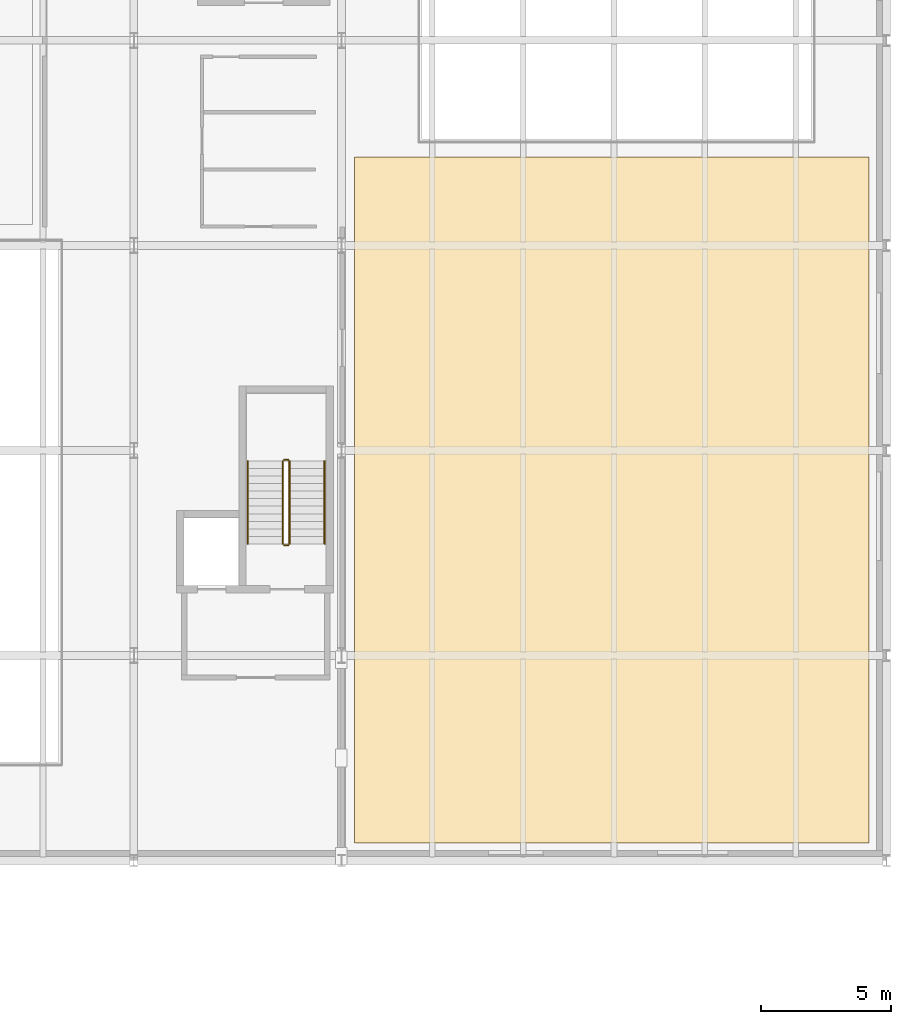
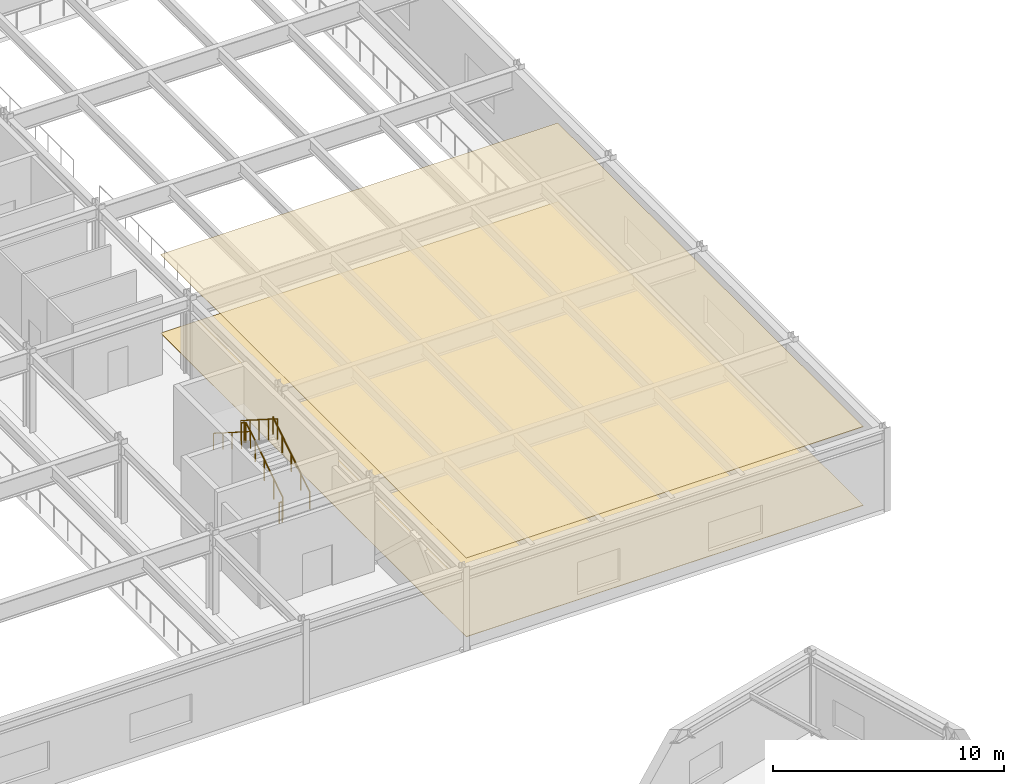
# One storey, part 102 of 103: 6 railings, 2 coverings.
"""IFC4 building model written with IfcOpenShell, lengths in metres."""

from ifc_helpers import new_model, si_unit, direction, frame, origin, origin_2d, place, context, subcontext, project, spatial, polyline, circle, outline, extrude, material, layer, layer_set, type_object, element, save


model = new_model("IFC4")

# Units and contexts
model_context = context("Model", 3, precision=1e-05, world=origin(), true_north=direction((0.0, 1.0)))
body_context = subcontext(model_context, "Body", "Model", "MODEL_VIEW")
ifc_project = project(units=[si_unit("LENGTHUNIT", "METRE"), si_unit("AREAUNIT", "SQUARE_METRE"), si_unit("VOLUMEUNIT", "CUBIC_METRE"), si_unit("PLANEANGLEUNIT", "RADIAN"), si_unit("MASSUNIT", "GRAM", prefix="KILO")], contexts=[model_context])

# Site, building, storey
site_placement = place(None, origin())
site = spatial("IfcSite", under=ifc_project, at=site_placement, CompositionType="ELEMENT")
building_placement = place(site_placement, origin())
building = spatial("IfcBuilding", under=site, at=building_placement, Name="Varnklinge Art Gallery", CompositionType="ELEMENT")
storey_placement = place(building_placement, frame((0.0, 0.0, 5.10009765625)))
storey = spatial("IfcBuildingStorey", under=building, at=storey_placement, Name="L01", CompositionType="ELEMENT", Elevation=5.10009765625)

# Coverings
ifc_material_1 = material(Name="Acoustic Mineral Tile", Category="mineral")
ifc_layer_1 = layer(ifc_material_1, 0.02490234375)
ifc_layer_set_1 = layer_set([ifc_layer_1], Name="Acoustic Mineral Tile")
covering_type_1 = type_object("IfcCoveringType", Name="CLG-AC", PredefinedType="CEILING", material=ifc_layer_set_1)
covering_1_placement = place(storey_placement, frame((0.0, 0.0, 4.14501953125)))
element("IfcCovering", 1, at=covering_1_placement, inside=storey, type_object=covering_type_1, Name="L01 Acoustic Mineral Ceiling 017", PredefinedType="CEILING", context=body_context, shape_type="SweptSolid", body=[
    extrude(outline(polyline([(163.719970703125, 58.8798828125), (163.719970703125, 85.300048828125), (143.89990234375, 85.300048828125), (143.89990234375, 58.8798828125), (163.719970703125, 58.8798828125)])), origin(), (0.0, 0.0, 1.0), 0.02490234375),
])
ifc_material_2 = material(Name="Polished Terrazzo Flooring", Category="stone")
ifc_layer_2 = layer(ifc_material_2, 0.02001953125)
ifc_layer_set_2 = layer_set([ifc_layer_2], Name="Polished Terrazzo Flooring")
covering_type_2 = type_object("IfcCoveringType", Name="FLR-STN", PredefinedType="FLOORING", material=ifc_layer_set_2)
covering_2_placement = place(storey_placement, origin())
element("IfcCovering", 2, at=covering_2_placement, inside=storey, type_object=covering_type_2, Name="L01 Gallery Terrazzo Flooring 017", PredefinedType="FLOORING", context=body_context, shape_type="SweptSolid", body=[
    extrude(outline(polyline([(163.719970703125, 58.8798828125), (163.719970703125, 85.300048828125), (143.89990234375, 85.300048828125), (143.89990234375, 58.8798828125), (163.719970703125, 58.8798828125)])), origin(), (0.0, 0.0, 1.0), 0.02001953125),
])

# Railings
ifc_material_3 = material(Name="Steel S355", Category="steel")
railing_type_1 = type_object("IfcRailingType", Name="GR-INT", PredefinedType="GUARDRAIL", material=ifc_material_3)
railing_1_placement = place(storey_placement, frame((141.39990234375, 70.39990234375, 0.18408203125)))
element("IfcRailing", 3, at=railing_1_placement, inside=storey, type_object=railing_type_1, Name="L01 ST-03 stair guard 1", PredefinedType="GUARDRAIL", context=body_context, shape_type="SweptSolid", body=[
    extrude(circle(Radius=0.02392578125, at=origin_2d()), frame((0.0, 0.0, 1.076171875), z_axis=(0.0, 0.844169194605, 0.536076833001), x_axis=(-1.0, 0.0, 0.0)), (0.0, 0.0, 1.0), 3.779052734375),
    extrude(circle(Radius=0.02099609375, at=origin_2d()), origin(), (0.0, 0.0, 1.0), 1.052001953125),
    extrude(circle(Radius=0.02099609375, at=origin_2d()), frame((0.0, 0.797607421875, 0.50634765625)), (0.0, 0.0, 1.0), 1.052001953125),
    extrude(circle(Radius=0.02099609375, at=origin_2d()), frame((0.0, 1.59521484375, 1.012939453125)), (0.0, 0.0, 1.0), 1.052001953125),
    extrude(circle(Radius=0.02099609375, at=origin_2d()), frame((0.0, 2.392578125, 1.51953125)), (0.0, 0.0, 1.0), 1.052001953125),
    extrude(circle(Radius=0.02099609375, at=origin_2d()), frame((0.0, 3.190185546875, 2.02587890625)), (0.0, 0.0, 1.0), 1.052001953125),
])
railing_2_placement = place(storey_placement, frame((141.35009765625, 73.639892578125, 2.2099609375)))
element("IfcRailing", 4, at=railing_2_placement, inside=storey, type_object=railing_type_1, Name="L01 ST-03 stair guard 2", PredefinedType="GUARDRAIL", context=body_context, shape_type="SweptSolid", body=[
    extrude(circle(Radius=0.02392578125, at=origin_2d()), frame((0.0, 0.0, 1.076171875), z_axis=(-1.0, 0.0, 0.0), x_axis=(0.0, -1.0, 0.0)), (0.0, 0.0, 1.0), 0.16015625),
    extrude(circle(Radius=0.02099609375, at=origin_2d()), origin(), (0.0, 0.0, 1.0), 1.052001953125),
    extrude(circle(Radius=0.02099609375, at=origin_2d()), frame((-0.16015625, 0.0, 0.0)), (0.0, 0.0, 1.0), 1.052001953125),
])
railing_3_placement = place(storey_placement, frame((141.139892578125, 73.590087890625, 2.39404296875)))
element("IfcRailing", 5, at=railing_3_placement, inside=storey, type_object=railing_type_1, Name="L01 ST-03 stair guard 3", PredefinedType="GUARDRAIL", context=body_context, shape_type="SweptSolid", body=[
    extrude(circle(Radius=0.02392578125, at=origin_2d()), frame((0.0, 0.0, 1.076171875), z_axis=(0.0, -0.844169194605, 0.536076833001), x_axis=(1.0, 0.0, 0.0)), (0.0, 0.0, 1.0), 3.779052734375),
    extrude(circle(Radius=0.02099609375, at=origin_2d()), origin(), (0.0, 0.0, 1.0), 1.052001953125),
    extrude(circle(Radius=0.02099609375, at=origin_2d()), frame((0.0, -0.797607421875, 0.50634765625)), (0.0, 0.0, 1.0), 1.052001953125),
    extrude(circle(Radius=0.02099609375, at=origin_2d()), frame((0.0, -1.59521484375, 1.012939453125)), (0.0, 0.0, 1.0), 1.052001953125),
    extrude(circle(Radius=0.02099609375, at=origin_2d()), frame((0.0, -2.392578125, 1.51953125)), (0.0, 0.0, 1.0), 1.052001953125),
    extrude(circle(Radius=0.02099609375, at=origin_2d()), frame((0.0, -3.190185546875, 2.02587890625)), (0.0, 0.0, 1.0), 1.052001953125),
])
railing_4_placement = place(storey_placement, frame((141.35009765625, 70.35009765625, 0.0)))
element("IfcRailing", 6, at=railing_4_placement, inside=storey, type_object=railing_type_1, Name="L01 ST-03 stair guard 4", PredefinedType="GUARDRAIL", context=body_context, shape_type="SweptSolid", body=[
    extrude(circle(Radius=0.02392578125, at=origin_2d()), frame((0.0, 0.0, 1.076171875), z_axis=(-1.0, 0.0, 0.0), x_axis=(0.0, -1.0, 0.0)), (0.0, 0.0, 1.0), 0.16015625),
    extrude(circle(Radius=0.02099609375, at=origin_2d()), origin(), (0.0, 0.0, 1.0), 1.052001953125),
    extrude(circle(Radius=0.02099609375, at=origin_2d()), frame((-0.16015625, 0.0, 0.0)), (0.0, 0.0, 1.0), 1.052001953125),
])
ifc_material_4 = material(Name="Steel S355", Category="steel")
railing_type_2 = type_object("IfcRailingType", Name="HR-01", PredefinedType="HANDRAIL", material=ifc_material_4)
railing_5_placement = place(storey_placement, frame((142.75, 70.39990234375, 0.18408203125)))
element("IfcRailing", 7, at=railing_5_placement, inside=storey, type_object=railing_type_2, Name="L01 ST-03 stair handrail 1", PredefinedType="HANDRAIL", context=body_context, shape_type="SweptSolid", body=[
    extrude(circle(Radius=0.02392578125, at=origin_2d()), frame((0.0, 0.0, 0.8759765625), z_axis=(0.0, 0.844169194605, 0.536076833001), x_axis=(-1.0, 0.0, 0.0)), (0.0, 0.0, 1.0), 3.779052734375),
    extrude(circle(Radius=0.02099609375, at=origin_2d()), origin(), (0.0, 0.0, 1.0), 0.851806640625),
    extrude(circle(Radius=0.02099609375, at=origin_2d()), frame((0.0, 0.797607421875, 0.50634765625)), (0.0, 0.0, 1.0), 0.851806640625),
    extrude(circle(Radius=0.02099609375, at=origin_2d()), frame((0.0, 1.59521484375, 1.012939453125)), (0.0, 0.0, 1.0), 0.851806640625),
    extrude(circle(Radius=0.02099609375, at=origin_2d()), frame((0.0, 2.392578125, 1.51953125)), (0.0, 0.0, 1.0), 0.851806640625),
    extrude(circle(Radius=0.02099609375, at=origin_2d()), frame((0.0, 3.190185546875, 2.02587890625)), (0.0, 0.0, 1.0), 0.851806640625),
])
railing_6_placement = place(storey_placement, frame((139.7900390625, 73.590087890625, 2.39404296875)))
element("IfcRailing", 8, at=railing_6_placement, inside=storey, type_object=railing_type_2, Name="L01 ST-03 stair handrail 2", PredefinedType="HANDRAIL", context=body_context, shape_type="SweptSolid", body=[
    extrude(circle(Radius=0.02392578125, at=origin_2d()), frame((0.0, 0.0, 0.8759765625), z_axis=(0.0, -0.844169194605, 0.536076833001), x_axis=(1.0, 0.0, 0.0)), (0.0, 0.0, 1.0), 3.779052734375),
    extrude(circle(Radius=0.02099609375, at=origin_2d()), origin(), (0.0, 0.0, 1.0), 0.851806640625),
    extrude(circle(Radius=0.02099609375, at=origin_2d()), frame((0.0, -0.797607421875, 0.50634765625)), (0.0, 0.0, 1.0), 0.851806640625),
    extrude(circle(Radius=0.02099609375, at=origin_2d()), frame((0.0, -1.59521484375, 1.012939453125)), (0.0, 0.0, 1.0), 0.851806640625),
    extrude(circle(Radius=0.02099609375, at=origin_2d()), frame((0.0, -2.392578125, 1.51953125)), (0.0, 0.0, 1.0), 0.851806640625),
    extrude(circle(Radius=0.02099609375, at=origin_2d()), frame((0.0, -3.190185546875, 2.02587890625)), (0.0, 0.0, 1.0), 0.851806640625),
])

save(model, "model.ifc")
